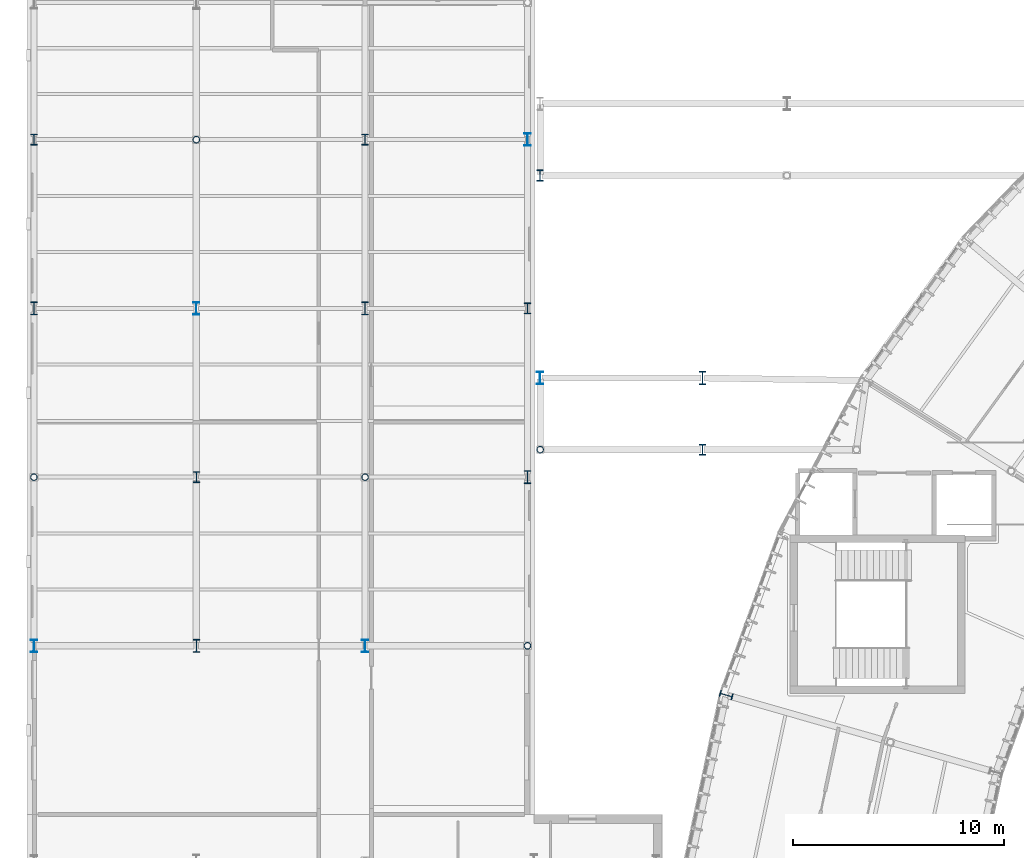
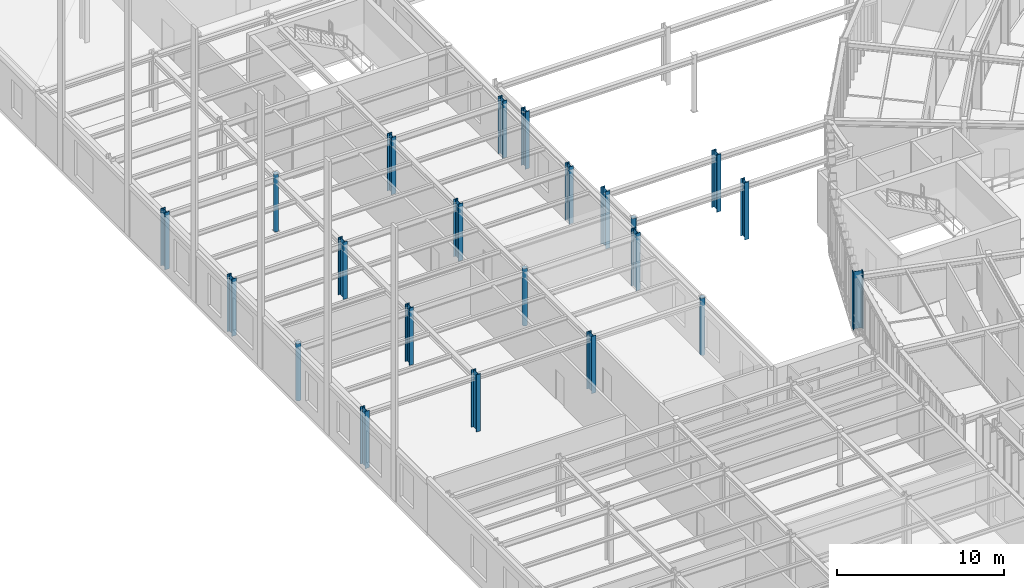
# One storey, part 3 of 148: 22 columns.
"""IFC4 building model written with IfcOpenShell, lengths in metres."""

from ifc_helpers import new_model, si_unit, direction, frame, origin, origin_2d, place, context, subcontext, project, spatial, hollow_circle, i_section, extrude, material, material_profile, profile_set, type_object, element, save


model = new_model("IFC4")

# Units and contexts
model_context = context("Model", 3, precision=1e-05, world=origin(), true_north=direction((0.0, 1.0)))
body_context = subcontext(model_context, "Body", "Model", "MODEL_VIEW")
ifc_project = project(units=[si_unit("LENGTHUNIT", "METRE"), si_unit("AREAUNIT", "SQUARE_METRE"), si_unit("VOLUMEUNIT", "CUBIC_METRE"), si_unit("PLANEANGLEUNIT", "RADIAN"), si_unit("MASSUNIT", "GRAM", prefix="KILO"), si_unit("THERMODYNAMICTEMPERATUREUNIT", "KELVIN"), si_unit("POWERUNIT", "WATT")], contexts=[model_context])

# Site, building, storey
site_placement = place(None, origin())
site = spatial("IfcSite", under=ifc_project, at=site_placement, CompositionType="ELEMENT")
building_placement = place(site_placement, origin())
building = spatial("IfcBuilding", under=site, at=building_placement, Name="Solvatero Civic Police Headquarters", CompositionType="ELEMENT")
storey_placement = place(building_placement, frame((0.0, 0.0, 5.10009765625)))
storey = spatial("IfcBuildingStorey", under=building, at=storey_placement, Name="L01", CompositionType="ELEMENT", Elevation=5.10009765625)

# Columns
ifc_material = material(Name="Steel S355", Category="steel")
ifc_material_profile_1 = material_profile(ifc_material, hollow_circle(Radius=0.161865234375, WallThickness=0.01611328125, at=origin_2d()), Name="CHS 323.9x16.0")
ifc_profile_set_1 = profile_set([ifc_material_profile_1], Name="Steel S355")
column_type_1 = type_object("IfcColumnType", Name="COL-ST-CHS324", PredefinedType="COLUMN", material=ifc_profile_set_1)
for number, where, z_axis, x_axis, name in (
    (1, (28.800048828125, 53.800048828125, 0.0), (0.0, 0.0, 1.0), (1.0, 0.0, 0.0), "Column SB1-W-S L01"),
    (2, (4.800048828125, 52.5, 0.0), (0.0, 0.0, 1.0), (1.0, 0.0, 0.0), "Column V6-X1Y2 L01"),
    (3, (12.5, 68.5, 0.0), (0.0, 0.0, 1.0), (1.0, 0.0, 0.0), "Column V6-X2Y4 L01"),
    (4, (20.5, 52.5, 0.0), (0.0, 0.0, 1.0), (1.0, 0.0, 0.0), "Column V6-X3Y2 L01"),
    (5, (28.199951171875, 44.5, 0.0), (0.0, 0.0, 1.0), (1.0, 0.0, 0.0), "Column V6-X4Y1 L01"),
):
    element("IfcColumn", number, at=place(storey_placement, frame(where, z_axis=z_axis, x_axis=x_axis)), inside=storey, type_object=column_type_1, Name=name, PredefinedType="COLUMN", context=body_context, shape_type="SweptSolid", body=[
        extrude(hollow_circle(Radius=0.161865234375, WallThickness=0.01611328125, at=origin_2d()), origin(), (0.0, 0.0, 1.0), 4.199951171875),
    ])
ifc_material_profile_2 = material_profile(ifc_material, i_section(OverallWidth=0.300048828125, OverallDepth=0.60009765625, WebThickness=0.015380859375, FlangeThickness=0.030029296875, FilletRadius=0.027099609375, at=origin_2d()), Name="HEB 600")
ifc_profile_set_2 = profile_set([ifc_material_profile_2], Name="Steel S355")
column_type_2 = type_object("IfcColumnType", Name="COL-ST-HEB600", PredefinedType="COLUMN", material=ifc_profile_set_2)
for number, where, z_axis, x_axis, name in (
    (6, (28.800048828125, 57.199951171875, 0.0), (0.0, 0.0, 1.0), (1.0, 0.0, 0.0), "Column SB1-W-N L01"),
    (7, (4.800048828125, 44.5, 0.0), (0.0, 0.0, 1.0), (1.0, 0.0, 0.0), "Column V6-X1Y1 L01"),
    (8, (12.5, 60.5, 0.0), (0.0, 0.0, 1.0), (1.0, 0.0, 0.0), "Column V6-X2Y3 L01"),
    (9, (20.5, 44.5, 0.0), (0.0, 0.0, 1.0), (1.0, 0.0, 0.0), "Column V6-X3Y1 L01"),
    (10, (28.199951171875, 68.5, 0.0), (0.0, 0.0, 1.0), (1.0, 0.0, 0.0), "Column V6-X4Y4 L01"),
):
    element("IfcColumn", number, at=place(storey_placement, frame(where, z_axis=z_axis, x_axis=x_axis)), inside=storey, type_object=column_type_2, Name=name, PredefinedType="COLUMN", context=body_context, shape_type="SweptSolid", body=[
        extrude(i_section(OverallWidth=0.300048828125, OverallDepth=0.60009765625, WebThickness=0.015380859375, FlangeThickness=0.030029296875, FilletRadius=0.027099609375, at=origin_2d()), origin(), (0.0, 0.0, 1.0), 4.199951171875),
    ])
ifc_material_profile_3 = material_profile(ifc_material, i_section(OverallWidth=0.305908203125, OverallDepth=0.52392578125, WebThickness=0.02099609375, FlangeThickness=0.0400390625, FilletRadius=0.027099609375, at=origin_2d()), Name="HEM 500")
ifc_profile_set_3 = profile_set([ifc_material_profile_3], Name="Steel S355")
column_type_3 = type_object("IfcColumnType", Name="COL-ST-HEM500", PredefinedType="COLUMN", material=ifc_profile_set_3)
for number, where, z_axis, x_axis, name in (
    (11, (36.5, 53.800048828125, 0.0), (0.0, 0.0, 1.0), (1.0, 0.0, 0.0), "Column SB1-MID-S L01"),
    (12, (28.800048828125, 66.800048828125, 0.0), (0.0, 0.0, 1.0), (1.0, 0.0, 0.0), "Column SB2-W-S L01"),
    (13, (4.800048828125, 68.5, 0.0), (0.0, 0.0, 1.0), (1.0, 0.0, 0.0), "Column V6-X1Y4 L01"),
    (14, (12.5, 52.5, 0.0), (0.0, 0.0, 1.0), (1.0, 0.0, 0.0), "Column V6-X2Y2 L01"),
    (15, (20.5, 68.5, 0.0), (0.0, 0.0, 1.0), (1.0, 0.0, 0.0), "Column V6-X3Y4 L01"),
    (16, (28.199951171875, 60.5, 0.0), (0.0, 0.0, 1.0), (1.0, 0.0, 0.0), "Column V6-X4Y3 L01"),
):
    element("IfcColumn", number, at=place(storey_placement, frame(where, z_axis=z_axis, x_axis=x_axis)), inside=storey, type_object=column_type_3, Name=name, PredefinedType="COLUMN", context=body_context, shape_type="SweptSolid", body=[
        extrude(i_section(OverallWidth=0.305908203125, OverallDepth=0.52392578125, WebThickness=0.02099609375, FlangeThickness=0.0400390625, FilletRadius=0.027099609375, at=origin_2d()), origin(), (0.0, 0.0, 1.0), 4.199951171875),
    ])
ifc_material_profile_4 = material_profile(ifc_material, i_section(OverallWidth=0.304931640625, OverallDepth=0.6201171875, WebThickness=0.02099609375, FlangeThickness=0.0400390625, FilletRadius=0.027099609375, at=origin_2d()), Name="HEM 600")
ifc_profile_set_4 = profile_set([ifc_material_profile_4], Name="Steel S355")
column_type_4 = type_object("IfcColumnType", Name="COL-ST-HEM600", PredefinedType="COLUMN", material=ifc_profile_set_4)
for number, where, z_axis, x_axis, name in (
    (17, (37.6220703125, 42.166015625, 0.0), (0.0, 0.0, 1.0), (0.275637355817, 0.961261695938, 0.0), "Column ARC-S10-OUT L01"),
    (18, (36.5, 57.199951171875, 0.0), (0.0, 0.0, 1.0), (1.0, 0.0, 0.0), "Column SB1-MID-N L01"),
    (19, (4.800048828125, 60.5, 0.0), (0.0, 0.0, 1.0), (1.0, 0.0, 0.0), "Column V6-X1Y3 L01"),
    (20, (12.5, 44.5, 0.0), (0.0, 0.0, 1.0), (1.0, 0.0, 0.0), "Column V6-X2Y1 L01"),
    (21, (20.5, 60.5, 0.0), (0.0, 0.0, 1.0), (1.0, 0.0, 0.0), "Column V6-X3Y3 L01"),
    (22, (28.199951171875, 52.5, 0.0), (0.0, 0.0, 1.0), (1.0, 0.0, 0.0), "Column V6-X4Y2 L01"),
):
    element("IfcColumn", number, at=place(storey_placement, frame(where, z_axis=z_axis, x_axis=x_axis)), inside=storey, type_object=column_type_4, Name=name, PredefinedType="COLUMN", context=body_context, shape_type="SweptSolid", body=[
        extrude(i_section(OverallWidth=0.304931640625, OverallDepth=0.6201171875, WebThickness=0.02099609375, FlangeThickness=0.0400390625, FilletRadius=0.027099609375, at=origin_2d()), origin(), (0.0, 0.0, 1.0), 4.199951171875),
    ])

save(model, "model.ifc")
